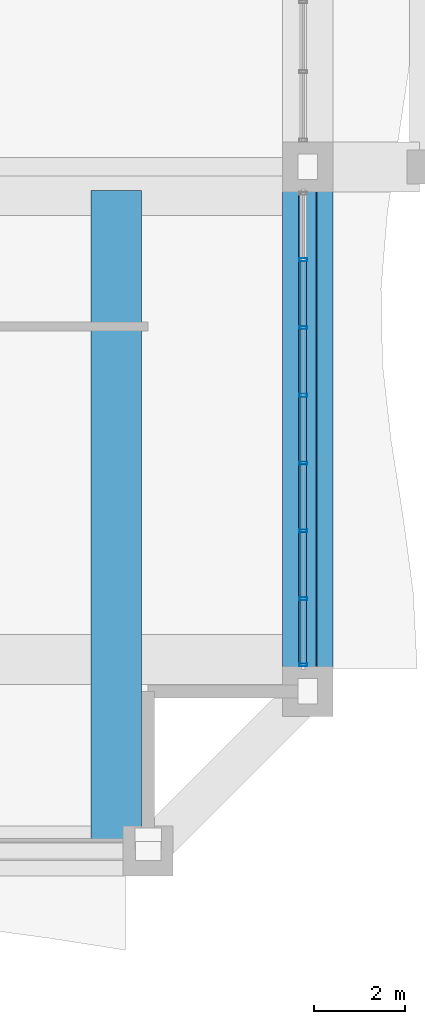
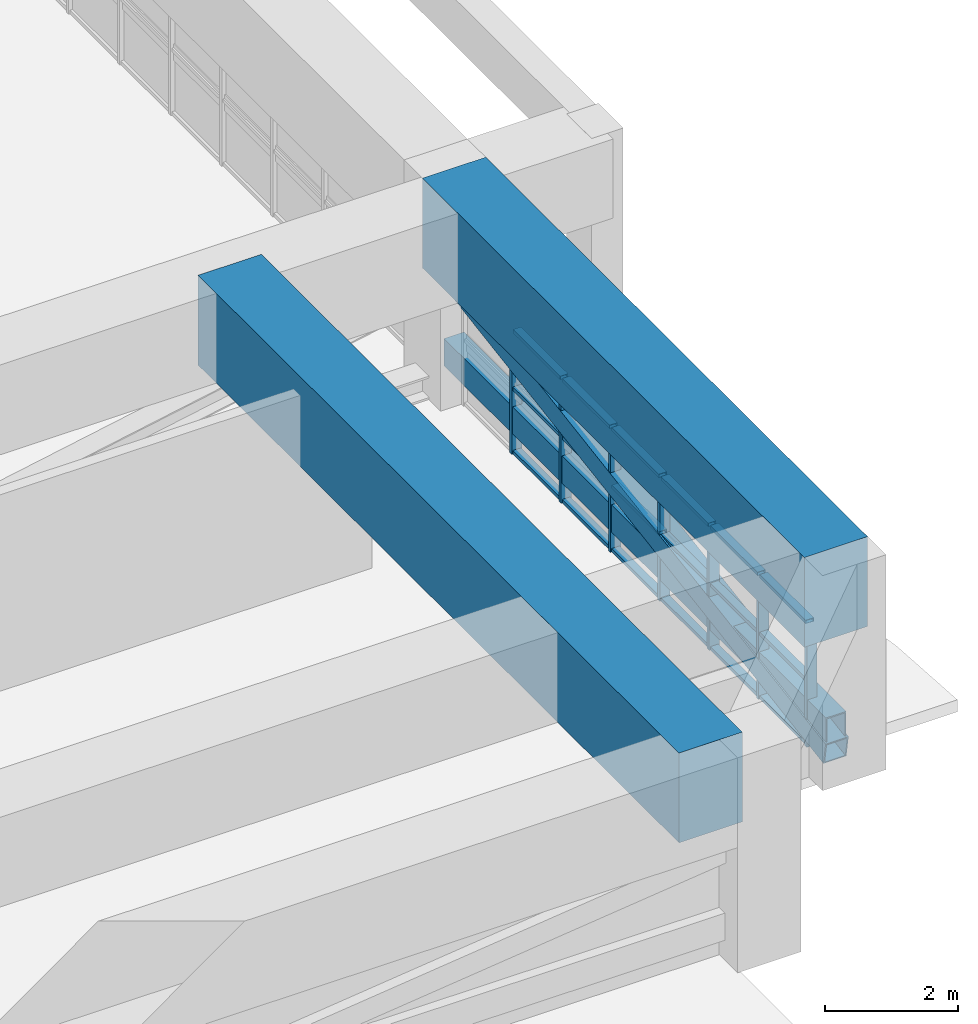
# One storey, part 13 of 35: 27 members, 2 beams, 1 element without a shape of its own.
"""IFC4 building model written with IfcOpenShell, lengths in metres."""

from ifc_helpers import new_model, si_unit, direction, frame, origin, origin_2d, place, context, subcontext, project, spatial, rectangle, hollow_rectangle, extrude, source, transform, mapped, material, layer, layer_set, material_profile, profile_set, type_object, element, aggregate, save


model = new_model("IFC4")

# Units and contexts
model_context = context("Model", 3, precision=1e-05, world=origin(), true_north=direction((0.0, 1.0)))
body_context = subcontext(model_context, "Body", "Model", "MODEL_VIEW")
ifc_project = project(units=[si_unit("LENGTHUNIT", "METRE"), si_unit("AREAUNIT", "SQUARE_METRE"), si_unit("VOLUMEUNIT", "CUBIC_METRE"), si_unit("PLANEANGLEUNIT", "RADIAN"), si_unit("MASSUNIT", "GRAM", prefix="KILO")], contexts=[model_context])

# Site, building, storey
site_placement = place(None, origin())
site = spatial("IfcSite", under=ifc_project, at=site_placement, CompositionType="ELEMENT")
building_placement = place(site_placement, origin())
building = spatial("IfcBuilding", under=site, at=building_placement, Name="Saelheon Loggia Tower", CompositionType="ELEMENT")
storey_placement = place(building_placement, frame((0.0, 0.0, 70.39990234375)))
storey = spatial("IfcBuildingStorey", under=building, at=storey_placement, Name="L22", CompositionType="ELEMENT", Elevation=70.39990234375)

# Beams
ifc_material_1 = material(Name="Concrete C50/60", Category="concrete")
ifc_material_profile_1 = material_profile(ifc_material_1, rectangle(XDim=1.10009765625, YDim=1.64990234375, at=origin_2d()), Name="RC-1100x1650")
ifc_profile_set_1 = profile_set([ifc_material_profile_1], Name="Concrete C50/60")
beam_type_1 = type_object("IfcBeamType", Name="Beam_PerimMega_RC1100x1650", PredefinedType="BEAM", material=ifc_profile_set_1)
shared_shape_1 = source(origin(), body_context, "Body", "SweptSolid", [
    extrude(rectangle(XDim=1.10009765625, YDim=1.64990234375, at=origin_2d()), origin(), (0.0, 0.0, 1.0), 11.5),
])
beam_1_placement = place(storey_placement, frame((64.0, 6.5, 3.125), z_axis=(0.0, 1.0, 0.0), x_axis=(-1.0, 0.0, 0.0)))
element("IfcBeam", 1, at=beam_1_placement, inside=storey, type_object=beam_type_1, Name="L22 Perimeter Frame Girder 05", PredefinedType="BEAM", context=body_context, shape_type="MappedRepresentation", body=[
    mapped(shared_shape_1, transform((0.0, 0.0, 0.0), scale=1.0)),
])
ifc_material_profile_2 = material_profile(ifc_material_1, rectangle(XDim=1.10009765625, YDim=1.64990234375, at=origin_2d()), Name="RC-1100x1650")
ifc_profile_set_2 = profile_set([ifc_material_profile_2], Name="Concrete C50/60")
beam_type_2 = type_object("IfcBeamType", Name="Beam_MegaTransfer_RC1100x1650", PredefinedType="BEAM", material=ifc_profile_set_2)
shared_shape_2 = source(origin(), body_context, "Body", "SweptSolid", [
    extrude(rectangle(XDim=1.10009765625, YDim=1.64990234375, at=origin_2d()), origin(), (0.0, 0.0, 1.0), 14.47998046875),
])
beam_2_placement = place(storey_placement, frame((59.800048828125, 3.0, 3.125), z_axis=(0.0, 1.0, 0.0), x_axis=(-1.0, 0.0, 0.0)))
element("IfcBeam", 2, at=beam_2_placement, inside=storey, type_object=beam_type_2, Name="TG-L22-NL-SE", PredefinedType="BEAM", context=body_context, shape_type="MappedRepresentation", body=[
    mapped(shared_shape_2, transform((0.0, 0.0, 0.0), scale=1.0)),
])

# Members
ifc_material_2 = material(Name="Steel SM355", Category="steel")
ifc_material_profile_3 = material_profile(ifc_material_2, hollow_rectangle(XDim=0.35009765625, YDim=0.5, WallThickness=0.02197265625, at=origin_2d()), Name="RHS-500x350x22")
ifc_profile_set_3 = profile_set([ifc_material_profile_3], Name="Steel SM355")
member_type_1 = type_object("IfcMemberType", Name="Belt_Chord_RHS500", PredefinedType="CHORD", material=ifc_profile_set_3)
shared_shape_3 = source(origin(), body_context, "Body", "SweptSolid", [
    extrude(hollow_rectangle(XDim=0.35009765625, YDim=0.5, WallThickness=0.02197265625, at=origin_2d()), origin(), (0.0, 0.0, 1.0), 11.5),
])
member_1_placement = place(storey_placement, frame((64.0, 6.5, 0.6201171875), z_axis=(0.0, 1.0, 0.0), x_axis=(-1.0, 0.0, 0.0)))
element("IfcMember", 3, at=member_1_placement, inside=storey, type_object=member_type_1, Name="L22 Belt Truss Chord BE1", PredefinedType="CHORD", context=body_context, shape_type="MappedRepresentation", body=[
    mapped(shared_shape_3, transform((0.0, 0.0, 0.0), scale=1.0)),
])
ifc_material_profile_4 = material_profile(ifc_material_2, hollow_rectangle(XDim=0.39990234375, YDim=0.39990234375, WallThickness=0.02001953125, at=origin_2d()), Name="RHS-400x400x20")
ifc_profile_set_4 = profile_set([ifc_material_profile_4], Name="Steel SM355")
member_type_2 = type_object("IfcMemberType", Name="Belt_Brace_RHS400", PredefinedType="BRACE", material=ifc_profile_set_4)
shared_shape_4 = source(origin(), body_context, "Body", "SweptSolid", [
    extrude(hollow_rectangle(XDim=0.39990234375, YDim=0.39990234375, WallThickness=0.02001953125, at=origin_2d()), origin(), (0.0, 0.0, 1.0), 11.64794921875),
])
member_2_placement = place(storey_placement, frame((64.0, 6.5, 0.22021484375), z_axis=(0.0, 0.987308313487, 0.158815283018), x_axis=(-1.0, 0.0, 0.0)))
element("IfcMember", 4, at=member_2_placement, inside=storey, type_object=member_type_2, Name="L22 Belt Truss Brace BE1", PredefinedType="BRACE", context=body_context, shape_type="MappedRepresentation", body=[
    mapped(shared_shape_4, transform((0.0, 0.0, 0.0), scale=1.0)),
])

# Curtain wall, members
ifc_material_3 = material(Name="Anodised Aluminium Acoustic Louvre Curtain Wall", Category="aluminium")
ifc_layer = layer(ifc_material_3, 0.179931640625)
ifc_layer_set = layer_set([ifc_layer], Name="Anodised Aluminium Acoustic Louvre Curtain Wall")
curtain_wall_type = type_object("IfcCurtainWallType", Name="CW_RefugeAcoustic", PredefinedType="NOTDEFINED", material=ifc_layer_set)
curtain_wall_placement = place(storey_placement, origin())
curtain_wall = element("IfcCurtainWall", 5, at=curtain_wall_placement, inside=storey, type_object=curtain_wall_type, Name="L22 E Refuge Acoustic Curtain Wall 1", PredefinedType="NOTDEFINED")
ifc_material_4 = material(Name="Anodised Aluminium 6063-T6", Category="aluminium")
ifc_material_profile_5 = material_profile(ifc_material_4, hollow_rectangle(XDim=0.06494140625, YDim=0.179931640625, WallThickness=0.00390625, at=origin_2d()), Name="RHS-180x65x4")
ifc_profile_set_5 = profile_set([ifc_material_profile_5], Name="Anodised Aluminium 6063-T6")
member_type_3 = type_object("IfcMemberType", Name="CW_RefugeAcoustic_Mullion", PredefinedType="MULLION", material=ifc_profile_set_5)
shared_shape_5 = source(origin(), body_context, "Body", "SweptSolid", [
    extrude(hollow_rectangle(XDim=0.06494140625, YDim=0.179931640625, WallThickness=0.00390625, at=origin_2d()), origin(), (0.0, 0.0, 1.0), 2.2900390625),
])
member_3_placement = place(storey_placement, frame((63.89990234375, 7.08251953125, 0.0), z_axis=(0.0, 0.0, 1.0), x_axis=(0.0, 1.0, 0.0)))
member_3 = element("IfcMember", 6, at=member_3_placement, type_object=member_type_3, Name="CW5 mullion 1", PredefinedType="MULLION", context=body_context, shape_type="MappedRepresentation", body=[
    mapped(shared_shape_5, transform((0.0, 0.0, 0.0), scale=1.0)),
])
member_4_placement = place(storey_placement, frame((63.89990234375, 8.53564453125, 0.0), z_axis=(0.0, 0.0, 1.0), x_axis=(0.0, 1.0, 0.0)))
member_4 = element("IfcMember", 7, at=member_4_placement, type_object=member_type_3, Name="CW5 mullion 2", PredefinedType="MULLION", context=body_context, shape_type="MappedRepresentation", body=[
    mapped(shared_shape_5, transform((0.0, 0.0, 0.0), scale=1.0)),
])
member_5_placement = place(storey_placement, frame((63.89990234375, 10.021484375, 0.0), z_axis=(0.0, 0.0, 1.0), x_axis=(0.0, 1.0, 0.0)))
member_5 = element("IfcMember", 8, at=member_5_placement, type_object=member_type_3, Name="CW5 mullion 3", PredefinedType="MULLION", context=body_context, shape_type="MappedRepresentation", body=[
    mapped(shared_shape_5, transform((0.0, 0.0, 0.0), scale=1.0)),
])
member_6_placement = place(storey_placement, frame((63.89990234375, 11.507080078125, 0.0), z_axis=(0.0, 0.0, 1.0), x_axis=(0.0, 1.0, 0.0)))
member_6 = element("IfcMember", 9, at=member_6_placement, type_object=member_type_3, Name="CW5 mullion 4", PredefinedType="MULLION", context=body_context, shape_type="MappedRepresentation", body=[
    mapped(shared_shape_5, transform((0.0, 0.0, 0.0), scale=1.0)),
])
member_7_placement = place(storey_placement, frame((63.89990234375, 12.992919921875, 0.0), z_axis=(0.0, 0.0, 1.0), x_axis=(0.0, 1.0, 0.0)))
member_7 = element("IfcMember", 10, at=member_7_placement, type_object=member_type_3, Name="CW5 mullion 5", PredefinedType="MULLION", context=body_context, shape_type="MappedRepresentation", body=[
    mapped(shared_shape_5, transform((0.0, 0.0, 0.0), scale=1.0)),
])
member_8_placement = place(storey_placement, frame((63.89990234375, 14.478515625, 0.0), z_axis=(0.0, 0.0, 1.0), x_axis=(0.0, 1.0, 0.0)))
member_8 = element("IfcMember", 11, at=member_8_placement, type_object=member_type_3, Name="CW5 mullion 6", PredefinedType="MULLION", context=body_context, shape_type="MappedRepresentation", body=[
    mapped(shared_shape_5, transform((0.0, 0.0, 0.0), scale=1.0)),
])
member_9_placement = place(storey_placement, frame((63.89990234375, 15.96435546875, 0.0), z_axis=(0.0, 0.0, 1.0), x_axis=(0.0, 1.0, 0.0)))
member_9 = element("IfcMember", 12, at=member_9_placement, type_object=member_type_3, Name="CW5 mullion 7", PredefinedType="MULLION", context=body_context, shape_type="MappedRepresentation", body=[
    mapped(shared_shape_5, transform((0.0, 0.0, 0.0), scale=1.0)),
])
ifc_material_profile_6 = material_profile(ifc_material_4, hollow_rectangle(XDim=0.06494140625, YDim=0.139892578125, WallThickness=0.00390625, at=origin_2d()), Name="RHS-140x65x4")
ifc_profile_set_6 = profile_set([ifc_material_profile_6], Name="Anodised Aluminium 6063-T6")
member_type_4 = type_object("IfcMemberType", Name="CW_RefugeAcoustic_Transom", PredefinedType="USERDEFINED", material=ifc_profile_set_6)
shared_shape_6 = source(origin(), body_context, "Body", "SweptSolid", [
    extrude(hollow_rectangle(XDim=0.06494140625, YDim=0.139892578125, WallThickness=0.00390625, at=origin_2d()), origin(), (0.0, 0.0, 1.0), 1.38818359375),
])
member_10_placement = place(storey_placement, frame((63.89990234375, 7.114990234375, 0.03271484375), z_axis=(0.0, 1.0, 0.0), x_axis=(0.0, 0.0, 1.0)))
member_10 = element("IfcMember", 13, at=member_10_placement, type_object=member_type_4, Name="CW5 transom 1.1", ObjectType="TRANSOM", PredefinedType="USERDEFINED", context=body_context, shape_type="MappedRepresentation", body=[
    mapped(shared_shape_6, transform((0.0, 0.0, 0.0), scale=1.0)),
])
member_11_placement = place(storey_placement, frame((63.89990234375, 7.114990234375, 1.2001953125), z_axis=(0.0, 1.0, 0.0), x_axis=(0.0, 0.0, 1.0)))
member_11 = element("IfcMember", 14, at=member_11_placement, type_object=member_type_4, Name="CW5 transom 1.2", ObjectType="TRANSOM", PredefinedType="USERDEFINED", context=body_context, shape_type="MappedRepresentation", body=[
    mapped(shared_shape_6, transform((0.0, 0.0, 0.0), scale=1.0)),
])
member_12_placement = place(storey_placement, frame((63.89990234375, 7.114990234375, 2.257568359375), z_axis=(0.0, 1.0, 0.0), x_axis=(0.0, 0.0, 1.0)))
member_12 = element("IfcMember", 15, at=member_12_placement, type_object=member_type_4, Name="CW5 transom 1.3", ObjectType="TRANSOM", PredefinedType="USERDEFINED", context=body_context, shape_type="MappedRepresentation", body=[
    mapped(shared_shape_6, transform((0.0, 0.0, 0.0), scale=1.0)),
])
shared_shape_7 = source(origin(), body_context, "Body", "SweptSolid", [
    extrude(hollow_rectangle(XDim=0.06494140625, YDim=0.139892578125, WallThickness=0.00390625, at=origin_2d()), origin(), (0.0, 0.0, 1.0), 1.4208984375),
])
member_13_placement = place(storey_placement, frame((63.89990234375, 8.568115234375, 0.03271484375), z_axis=(0.0, 1.0, 0.0), x_axis=(0.0, 0.0, 1.0)))
member_13 = element("IfcMember", 16, at=member_13_placement, type_object=member_type_4, Name="CW5 transom 2.1", ObjectType="TRANSOM", PredefinedType="USERDEFINED", context=body_context, shape_type="MappedRepresentation", body=[
    mapped(shared_shape_7, transform((0.0, 0.0, 0.0), scale=1.0)),
])
member_14_placement = place(storey_placement, frame((63.89990234375, 8.568115234375, 1.2001953125), z_axis=(0.0, 1.0, 0.0), x_axis=(0.0, 0.0, 1.0)))
member_14 = element("IfcMember", 17, at=member_14_placement, type_object=member_type_4, Name="CW5 transom 2.2", ObjectType="TRANSOM", PredefinedType="USERDEFINED", context=body_context, shape_type="MappedRepresentation", body=[
    mapped(shared_shape_7, transform((0.0, 0.0, 0.0), scale=1.0)),
])
member_15_placement = place(storey_placement, frame((63.89990234375, 8.568115234375, 2.257568359375), z_axis=(0.0, 1.0, 0.0), x_axis=(0.0, 0.0, 1.0)))
member_15 = element("IfcMember", 18, at=member_15_placement, type_object=member_type_4, Name="CW5 transom 2.3", ObjectType="TRANSOM", PredefinedType="USERDEFINED", context=body_context, shape_type="MappedRepresentation", body=[
    mapped(shared_shape_7, transform((0.0, 0.0, 0.0), scale=1.0)),
])
member_16_placement = place(storey_placement, frame((63.89990234375, 11.53955078125, 0.03271484375), z_axis=(0.0, 1.0, 0.0), x_axis=(0.0, 0.0, 1.0)))
member_16 = element("IfcMember", 19, at=member_16_placement, type_object=member_type_4, Name="CW5 transom 4.1", ObjectType="TRANSOM", PredefinedType="USERDEFINED", context=body_context, shape_type="MappedRepresentation", body=[
    mapped(shared_shape_7, transform((0.0, 0.0, 0.0), scale=1.0)),
])
member_17_placement = place(storey_placement, frame((63.89990234375, 11.53955078125, 1.2001953125), z_axis=(0.0, 1.0, 0.0), x_axis=(0.0, 0.0, 1.0)))
member_17 = element("IfcMember", 20, at=member_17_placement, type_object=member_type_4, Name="CW5 transom 4.2", ObjectType="TRANSOM", PredefinedType="USERDEFINED", context=body_context, shape_type="MappedRepresentation", body=[
    mapped(shared_shape_7, transform((0.0, 0.0, 0.0), scale=1.0)),
])
member_18_placement = place(storey_placement, frame((63.89990234375, 11.53955078125, 2.257568359375), z_axis=(0.0, 1.0, 0.0), x_axis=(0.0, 0.0, 1.0)))
member_18 = element("IfcMember", 21, at=member_18_placement, type_object=member_type_4, Name="CW5 transom 4.3", ObjectType="TRANSOM", PredefinedType="USERDEFINED", context=body_context, shape_type="MappedRepresentation", body=[
    mapped(shared_shape_7, transform((0.0, 0.0, 0.0), scale=1.0)),
])
member_19_placement = place(storey_placement, frame((63.89990234375, 14.510986328125, 0.03271484375), z_axis=(0.0, 1.0, 0.0), x_axis=(0.0, 0.0, 1.0)))
member_19 = element("IfcMember", 22, at=member_19_placement, type_object=member_type_4, Name="CW5 transom 6.1", ObjectType="TRANSOM", PredefinedType="USERDEFINED", context=body_context, shape_type="MappedRepresentation", body=[
    mapped(shared_shape_7, transform((0.0, 0.0, 0.0), scale=1.0)),
])
member_20_placement = place(storey_placement, frame((63.89990234375, 14.510986328125, 1.2001953125), z_axis=(0.0, 1.0, 0.0), x_axis=(0.0, 0.0, 1.0)))
member_20 = element("IfcMember", 23, at=member_20_placement, type_object=member_type_4, Name="CW5 transom 6.2", ObjectType="TRANSOM", PredefinedType="USERDEFINED", context=body_context, shape_type="MappedRepresentation", body=[
    mapped(shared_shape_7, transform((0.0, 0.0, 0.0), scale=1.0)),
])
member_21_placement = place(storey_placement, frame((63.89990234375, 14.510986328125, 2.257568359375), z_axis=(0.0, 1.0, 0.0), x_axis=(0.0, 0.0, 1.0)))
member_21 = element("IfcMember", 24, at=member_21_placement, type_object=member_type_4, Name="CW5 transom 6.3", ObjectType="TRANSOM", PredefinedType="USERDEFINED", context=body_context, shape_type="MappedRepresentation", body=[
    mapped(shared_shape_7, transform((0.0, 0.0, 0.0), scale=1.0)),
])
shared_shape_8 = source(origin(), body_context, "Body", "SweptSolid", [
    extrude(hollow_rectangle(XDim=0.06494140625, YDim=0.139892578125, WallThickness=0.00390625, at=origin_2d()), origin(), (0.0, 0.0, 1.0), 1.420654296875),
])
member_22_placement = place(storey_placement, frame((63.89990234375, 10.053955078125, 0.03271484375), z_axis=(0.0, 1.0, 0.0), x_axis=(0.0, 0.0, 1.0)))
member_22 = element("IfcMember", 25, at=member_22_placement, type_object=member_type_4, Name="CW5 transom 3.1", ObjectType="TRANSOM", PredefinedType="USERDEFINED", context=body_context, shape_type="MappedRepresentation", body=[
    mapped(shared_shape_8, transform((0.0, 0.0, 0.0), scale=1.0)),
])
member_23_placement = place(storey_placement, frame((63.89990234375, 10.053955078125, 1.2001953125), z_axis=(0.0, 1.0, 0.0), x_axis=(0.0, 0.0, 1.0)))
member_23 = element("IfcMember", 26, at=member_23_placement, type_object=member_type_4, Name="CW5 transom 3.2", ObjectType="TRANSOM", PredefinedType="USERDEFINED", context=body_context, shape_type="MappedRepresentation", body=[
    mapped(shared_shape_8, transform((0.0, 0.0, 0.0), scale=1.0)),
])
member_24_placement = place(storey_placement, frame((63.89990234375, 10.053955078125, 2.257568359375), z_axis=(0.0, 1.0, 0.0), x_axis=(0.0, 0.0, 1.0)))
member_24 = element("IfcMember", 27, at=member_24_placement, type_object=member_type_4, Name="CW5 transom 3.3", ObjectType="TRANSOM", PredefinedType="USERDEFINED", context=body_context, shape_type="MappedRepresentation", body=[
    mapped(shared_shape_8, transform((0.0, 0.0, 0.0), scale=1.0)),
])
member_25_placement = place(storey_placement, frame((63.89990234375, 13.025390625, 0.03271484375), z_axis=(0.0, 1.0, 0.0), x_axis=(0.0, 0.0, 1.0)))
member_25 = element("IfcMember", 28, at=member_25_placement, type_object=member_type_4, Name="CW5 transom 5.1", ObjectType="TRANSOM", PredefinedType="USERDEFINED", context=body_context, shape_type="MappedRepresentation", body=[
    mapped(shared_shape_8, transform((0.0, 0.0, 0.0), scale=1.0)),
])
member_26_placement = place(storey_placement, frame((63.89990234375, 13.025390625, 1.2001953125), z_axis=(0.0, 1.0, 0.0), x_axis=(0.0, 0.0, 1.0)))
member_26 = element("IfcMember", 29, at=member_26_placement, type_object=member_type_4, Name="CW5 transom 5.2", ObjectType="TRANSOM", PredefinedType="USERDEFINED", context=body_context, shape_type="MappedRepresentation", body=[
    mapped(shared_shape_8, transform((0.0, 0.0, 0.0), scale=1.0)),
])
member_27_placement = place(storey_placement, frame((63.89990234375, 13.025390625, 2.257568359375), z_axis=(0.0, 1.0, 0.0), x_axis=(0.0, 0.0, 1.0)))
member_27 = element("IfcMember", 30, at=member_27_placement, type_object=member_type_4, Name="CW5 transom 5.3", ObjectType="TRANSOM", PredefinedType="USERDEFINED", context=body_context, shape_type="MappedRepresentation", body=[
    mapped(shared_shape_8, transform((0.0, 0.0, 0.0), scale=1.0)),
])
aggregate(curtain_wall, [member_3, member_4, member_5, member_6, member_7, member_8, member_9, member_10, member_11, member_12, member_13, member_14, member_15, member_22, member_23, member_24, member_16, member_17, member_18, member_25, member_26, member_27, member_19, member_20, member_21])

save(model, "model.ifc")
